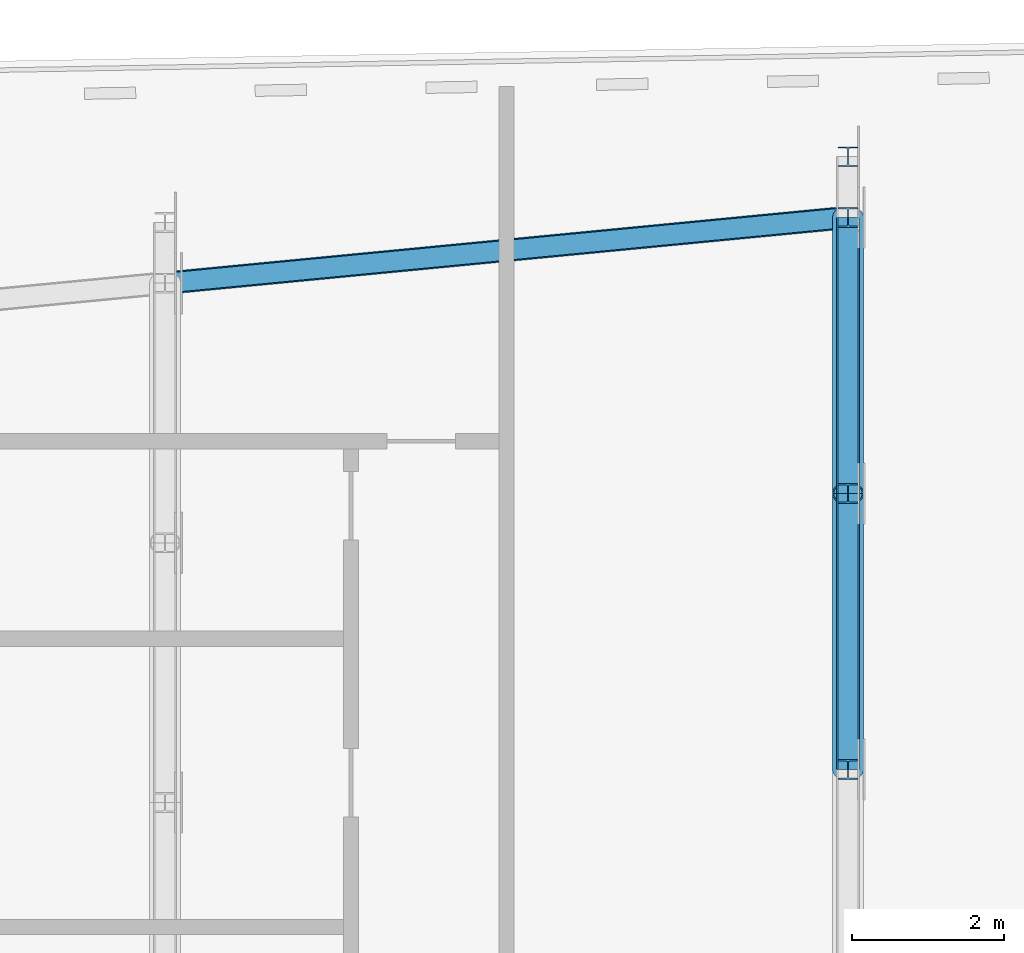
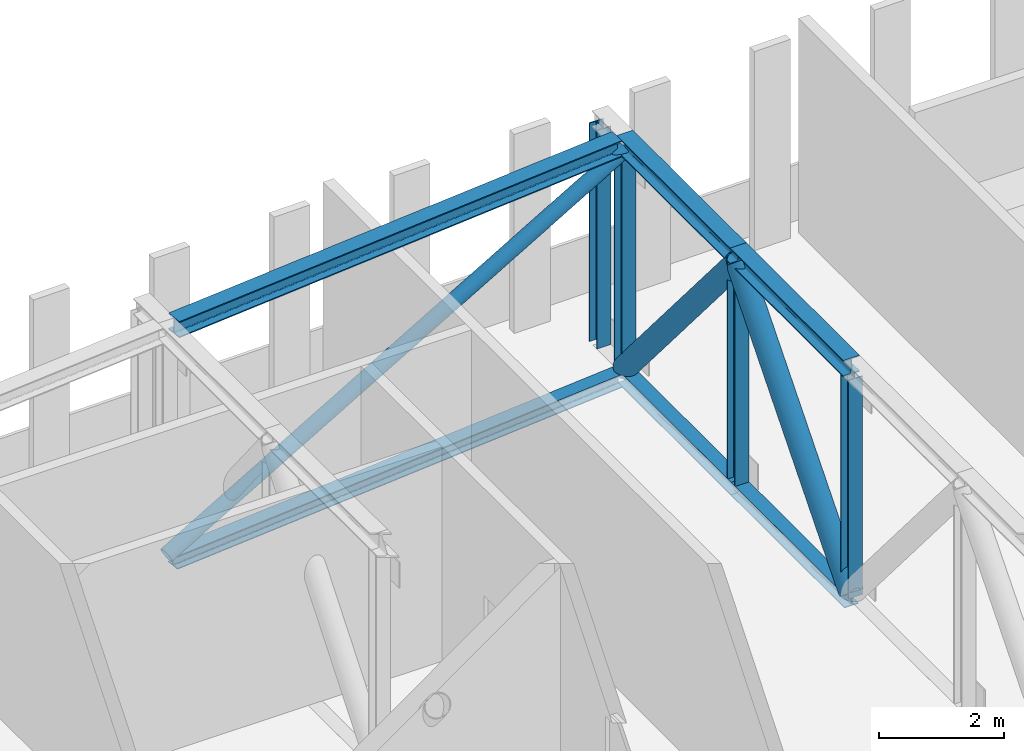
# One storey, part 7 of 26: 13 members.
"""IFC4 building model written with IfcOpenShell, lengths in metres."""

from ifc_helpers import new_model, si_unit, direction, frame, origin, origin_2d, place, context, subcontext, project, spatial, hollow_circle, i_section, extrude, material, material_profile, profile_set, type_object, element, save


model = new_model("IFC4")

# Units and contexts
model_context = context("Model", 3, precision=1e-05, world=origin(), true_north=direction((0.0, 1.0)))
body_context = subcontext(model_context, "Body", "Model", "MODEL_VIEW")
ifc_project = project(units=[si_unit("LENGTHUNIT", "METRE"), si_unit("AREAUNIT", "SQUARE_METRE"), si_unit("VOLUMEUNIT", "CUBIC_METRE"), si_unit("PLANEANGLEUNIT", "RADIAN"), si_unit("MASSUNIT", "GRAM", prefix="KILO")], contexts=[model_context])

# Site, building, storey
site_placement = place(None, origin())
site = spatial("IfcSite", under=ifc_project, at=site_placement, CompositionType="ELEMENT")
building_placement = place(site_placement, origin())
building = spatial("IfcBuilding", under=site, at=building_placement, Name="Kajstack Hotel Tower", CompositionType="ELEMENT")
storey_placement = place(building_placement, frame((0.0, 0.0, 257.300048828125)))
storey = spatial("IfcBuildingStorey", under=building, at=storey_placement, Name="L64", CompositionType="ELEMENT", Elevation=257.300048828125)

# Members
ifc_material = material(Name="Steel S355J2", Category="steel")
ifc_material_profile_1 = material_profile(ifc_material, i_section(OverallWidth=0.260009765625, OverallDepth=0.260009765625, WebThickness=0.010009765625, FlangeThickness=0.017578125, FilletRadius=0.02392578125, at=origin_2d()), Name="HEB 260")
ifc_profile_set_1 = profile_set([ifc_material_profile_1], Name="Steel S355J2")
member_type_1 = type_object("IfcMemberType", Name="Belt truss bottom chord BB5 HEB 260", PredefinedType="CHORD", material=ifc_profile_set_1)
member_1_placement = place(storey_placement, frame((0.12939453125, 18.197265625, -0.130126953125), z_axis=(0.995397612188, 0.095831068294, 0.0), x_axis=(-0.095831068294, 0.995397612188, 0.0)))
element("IfcMember", 1, at=member_1_placement, inside=storey, type_object=member_type_1, Name="S-belt-truss-L64-n05-b", PredefinedType="CHORD", context=body_context, shape_type="SweptSolid", body=[
    extrude(i_section(OverallWidth=0.260009765625, OverallDepth=0.260009765625, WebThickness=0.010009765625, FlangeThickness=0.017578125, FilletRadius=0.02392578125, at=origin_2d()), origin(), (0.0, 0.0, 1.0), 8.78173828125),
])
ifc_material_profile_2 = material_profile(ifc_material, i_section(OverallWidth=0.260009765625, OverallDepth=0.260009765625, WebThickness=0.010009765625, FlangeThickness=0.017578125, FilletRadius=0.02392578125, at=origin_2d()), Name="HEB 260")
ifc_profile_set_2 = profile_set([ifc_material_profile_2], Name="Steel S355J2")
member_type_2 = type_object("IfcMemberType", Name="Belt truss bottom chord BC5 HEB 260", PredefinedType="CHORD", material=ifc_profile_set_2)
for number, where, z_axis, x_axis, name in (
    (2, (9.0, 11.775634765625, -0.130126953125), (0.0, 1.0, 0.0), (-1.0, 0.0, 0.0), "S-belt-truss-L64-+9p0-1-bc19"),
    (3, (9.0, 15.41357421875, -0.130126953125), (0.0, 1.0, 0.0), (-1.0, 0.0, 0.0), "S-belt-truss-L64-+9p0-1-bc20"),
):
    element("IfcMember", number, at=place(storey_placement, frame(where, z_axis=z_axis, x_axis=x_axis)), inside=storey, type_object=member_type_2, Name=name, PredefinedType="CHORD", context=body_context, shape_type="SweptSolid", body=[
        extrude(i_section(OverallWidth=0.260009765625, OverallDepth=0.260009765625, WebThickness=0.010009765625, FlangeThickness=0.017578125, FilletRadius=0.02392578125, at=origin_2d()), origin(), (0.0, 0.0, 1.0), 3.637939453125),
    ])
ifc_material_profile_3 = material_profile(ifc_material, hollow_circle(Radius=0.136474609375, WallThickness=0.012451171875, at=origin_2d()), Name="CHS 273x12.5")
ifc_profile_set_3 = profile_set([ifc_material_profile_3], Name="Steel S355J2")
member_type_3 = type_object("IfcMemberType", Name="Belt truss diagonal BD5 CHS 273x12.5", PredefinedType="BRACE", material=ifc_profile_set_3)
member_2_placement = place(storey_placement, frame((0.0, 18.184814453125, 0.0), z_axis=(0.899685981991, 0.086639681968, 0.427853595657), x_axis=(-0.095856468129, 0.995395166513, 0.0)))
element("IfcMember", 4, at=member_2_placement, inside=storey, type_object=member_type_3, Name="S-belt-truss-L64-n05-d", PredefinedType="BRACE", context=body_context, shape_type="SweptSolid", body=[
    extrude(hollow_circle(Radius=0.136474609375, WallThickness=0.012451171875, at=origin_2d()), origin(), (0.0, 0.0, 1.0), 10.00341796875),
])
ifc_material_profile_4 = material_profile(ifc_material, hollow_circle(Radius=0.203125, WallThickness=0.01611328125, at=origin_2d()), Name="CHS 406.4x16")
ifc_profile_set_4 = profile_set([ifc_material_profile_4], Name="Steel S355J2")
member_type_4 = type_object("IfcMemberType", Name="Belt truss diagonal DG5 CHS 406.4x16", PredefinedType="BRACE", material=ifc_profile_set_4)
for number, where, z_axis, x_axis, name in (
    (5, (9.0, 11.775634765625, 0.0), (0.0, 0.647639588708, 0.76194682435), (-1.0, 0.0, 0.0), "S-belt-truss-L64-+9p0-1-dg39"),
    (6, (9.0, 19.051513671875, 0.0), (0.0, -0.647639588708, 0.76194682435), (1.0, 0.0, 0.0), "S-belt-truss-L64-+9p0-1-dg40"),
):
    element("IfcMember", number, at=place(storey_placement, frame(where, z_axis=z_axis, x_axis=x_axis)), inside=storey, type_object=member_type_4, Name=name, PredefinedType="BRACE", context=body_context, shape_type="SweptSolid", body=[
        extrude(hollow_circle(Radius=0.203125, WallThickness=0.01611328125, at=origin_2d()), origin(), (0.0, 0.0, 1.0), 5.6171875),
    ])
ifc_material_profile_5 = material_profile(ifc_material, i_section(OverallWidth=0.260009765625, OverallDepth=0.260009765625, WebThickness=0.010009765625, FlangeThickness=0.017578125, FilletRadius=0.02392578125, at=origin_2d()), Name="HEB 260")
ifc_profile_set_5 = profile_set([ifc_material_profile_5], Name="Steel S355J2")
member_type_5 = type_object("IfcMemberType", Name="Belt truss post PO5 HEB 260", PredefinedType="POST", material=ifc_profile_set_5)
for number, where, z_axis, x_axis, name in (
    (7, (9.0, 11.775634765625, 0.0), (0.0, 0.0, 1.0), (1.0, 0.0, 0.0), "S-belt-truss-L64-+9p0-1-po29"),
    (8, (9.0, 15.41357421875, 0.0), (0.0, 0.0, 1.0), (1.0, 0.0, 0.0), "S-belt-truss-L64-+9p0-1-po30"),
    (9, (9.0, 19.051513671875, 0.0), (0.0, 0.0, 1.0), (1.0, 0.0, 0.0), "S-belt-truss-L64-+9p0-1-po31"),
    (10, (9.0, 19.851318359375, 0.0), (0.0, 0.0, 1.0), (1.0, 0.0, 0.0), "S-belt-truss-L64-+9p0-1-po32"),
):
    element("IfcMember", number, at=place(storey_placement, frame(where, z_axis=z_axis, x_axis=x_axis)), inside=storey, type_object=member_type_5, Name=name, PredefinedType="POST", context=body_context, shape_type="SweptSolid", body=[
        extrude(i_section(OverallWidth=0.260009765625, OverallDepth=0.260009765625, WebThickness=0.010009765625, FlangeThickness=0.017578125, FilletRadius=0.02392578125, at=origin_2d()), origin(), (0.0, 0.0, 1.0), 4.280029296875),
    ])
ifc_material_profile_6 = material_profile(ifc_material, i_section(OverallWidth=0.300048828125, OverallDepth=0.320068359375, WebThickness=0.011474609375, FlangeThickness=0.0205078125, FilletRadius=0.027099609375, at=origin_2d()), Name="HEB 320")
ifc_profile_set_6 = profile_set([ifc_material_profile_6], Name="Steel S355J2")
member_type_6 = type_object("IfcMemberType", Name="Belt truss top chord BT5 HEB 320", PredefinedType="CHORD", material=ifc_profile_set_6)
member_3_placement = place(storey_placement, frame((0.1494140625, 18.19921875, 4.43994140625), z_axis=(0.995395510024, 0.095852900965, 0.0), x_axis=(-0.095852900965, 0.995395510024, 0.0)))
element("IfcMember", 11, at=member_3_placement, inside=storey, type_object=member_type_6, Name="S-belt-truss-L64-n05-t", PredefinedType="CHORD", context=body_context, shape_type="SweptSolid", body=[
    extrude(i_section(OverallWidth=0.300048828125, OverallDepth=0.320068359375, WebThickness=0.011474609375, FlangeThickness=0.0205078125, FilletRadius=0.027099609375, at=origin_2d()), origin(), (0.0, 0.0, 1.0), 8.741455078125),
])
ifc_material_profile_7 = material_profile(ifc_material, i_section(OverallWidth=0.300048828125, OverallDepth=0.320068359375, WebThickness=0.011474609375, FlangeThickness=0.0205078125, FilletRadius=0.027099609375, at=origin_2d()), Name="HEB 320")
ifc_profile_set_7 = profile_set([ifc_material_profile_7], Name="Steel S355J2")
member_type_7 = type_object("IfcMemberType", Name="Belt truss top chord TC5 HEB 320", PredefinedType="CHORD", material=ifc_profile_set_7)
for number, where, z_axis, x_axis, name in (
    (12, (9.0, 11.775634765625, 4.43994140625), (0.0, 1.0, 0.0), (-1.0, 0.0, 0.0), "S-belt-truss-L64-+9p0-1-tc9"),
    (13, (9.0, 15.41357421875, 4.43994140625), (0.0, 1.0, 0.0), (-1.0, 0.0, 0.0), "S-belt-truss-L64-+9p0-1-tc10"),
):
    element("IfcMember", number, at=place(storey_placement, frame(where, z_axis=z_axis, x_axis=x_axis)), inside=storey, type_object=member_type_7, Name=name, PredefinedType="CHORD", context=body_context, shape_type="SweptSolid", body=[
        extrude(i_section(OverallWidth=0.300048828125, OverallDepth=0.320068359375, WebThickness=0.011474609375, FlangeThickness=0.0205078125, FilletRadius=0.027099609375, at=origin_2d()), origin(), (0.0, 0.0, 1.0), 3.637939453125),
    ])

save(model, "model.ifc")
